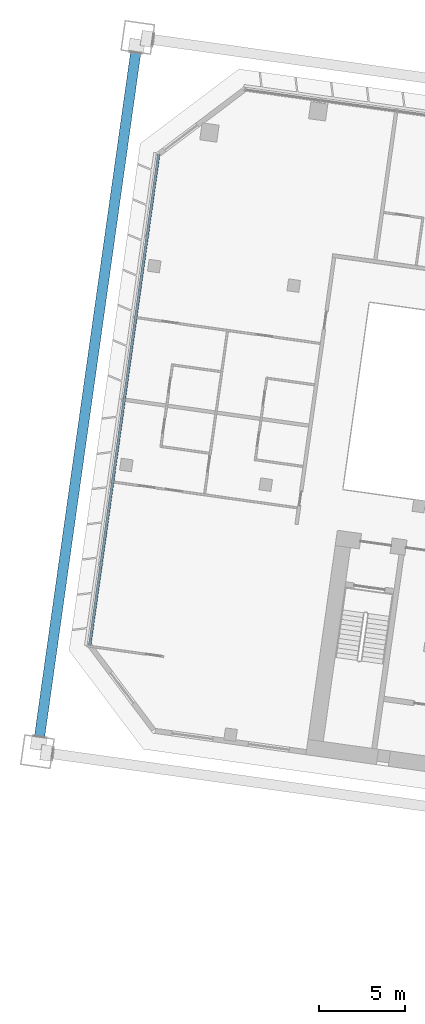
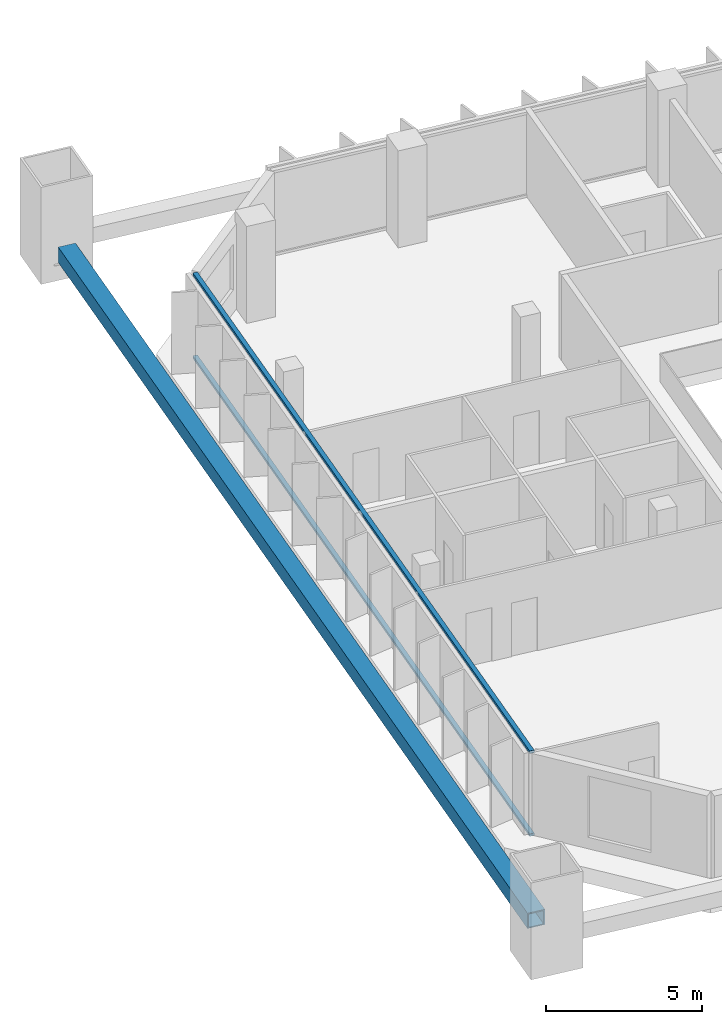
# One storey, part 5 of 46: 3 members, 1 element without a shape of its own.
"""IFC4 building model written with IfcOpenShell, lengths in metres."""

from ifc_helpers import new_model, si_unit, direction, frame, origin, origin_2d, place, context, subcontext, project, spatial, rectangle, hollow_rectangle, extrude, material, material_profile, profile_set, type_object, element, aggregate, save


model = new_model("IFC4")

# Units and contexts
model_context = context("Model", 3, precision=1e-05, world=origin(), true_north=direction((0.0, 1.0)))
body_context = subcontext(model_context, "Body", "Model", "MODEL_VIEW")
ifc_project = project(units=[si_unit("LENGTHUNIT", "METRE"), si_unit("AREAUNIT", "SQUARE_METRE"), si_unit("VOLUMEUNIT", "CUBIC_METRE"), si_unit("PLANEANGLEUNIT", "RADIAN"), si_unit("MASSUNIT", "GRAM", prefix="KILO")], contexts=[model_context])

# Site, building, storey
site_placement = place(None, origin())
site = spatial("IfcSite", under=ifc_project, at=site_placement, CompositionType="ELEMENT")
building_placement = place(site_placement, origin())
building = spatial("IfcBuilding", under=site, at=building_placement, Name="Mirante Cascada Hotel Towers", CompositionType="ELEMENT")
storey_placement = place(building_placement, frame((0.0, 0.0, 39.5)))
storey = spatial("IfcBuildingStorey", under=building, at=storey_placement, Name="L06", CompositionType="ELEMENT", Elevation=39.5)

# Member
ifc_material_1 = material(Name="Steel ASTM A572 Gr 50", Category="steel")
ifc_material_profile_1 = material_profile(ifc_material_1, hollow_rectangle(XDim=0.6, YDim=0.6, WallThickness=0.04, at=origin_2d()), Name="Box chord 600x600x40 ASTM A572 Gr 50")
ifc_profile_set_1 = profile_set([ifc_material_profile_1], Name="Steel ASTM A572 Gr 50")
member_type_1 = type_object("IfcMemberType", Name="Box chord 600x600x40 ASTM A572 Gr 50", PredefinedType="CHORD", material=ifc_profile_set_1)
member_1_placement = place(storey_placement, frame((-106.08, -11.6254, 1.0), z_axis=(0.1391724, 0.9902682, 0.0), x_axis=(-0.9902682, 0.1391724, 0.0)))
element("IfcMember", 1, at=member_1_placement, inside=storey, type_object=member_type_1, Name="exochord T1 L06 4", PredefinedType="CHORD", context=body_context, shape_type="SweptSolid", body=[
    extrude(hollow_rectangle(XDim=0.6, YDim=0.6, WallThickness=0.04, at=origin_2d()), origin(), (0.0, 0.0, 1.0), 40.24),
])

# Curtain wall, members
ifc_material_2 = material(Name="Aluminium mullion and transom frame with clear laminated glass", Category="aluminium")
curtain_wall_type = type_object("IfcCurtainWallType", Name="End ribbon curtain wall ECW2", PredefinedType="NOTDEFINED", material=ifc_material_2)
curtain_wall_placement = place(storey_placement, origin())
curtain_wall = element("IfcCurtainWall", 2, at=curtain_wall_placement, inside=storey, type_object=curtain_wall_type, Name="Outer end wall T1 L06", PredefinedType="NOTDEFINED")
ifc_material_3 = material(Name="Anodised aluminium extrusion", Category="aluminium")
ifc_material_profile_2 = material_profile(ifc_material_3, rectangle(XDim=0.16, YDim=0.1, at=origin_2d()), Name="ECW2 TRANSOM 100x160")
ifc_profile_set_2 = profile_set([ifc_material_profile_2], Name="Anodised aluminium extrusion")
member_type_2 = type_object("IfcMemberType", Name="ECW2 transom 100x160", PredefinedType="USERDEFINED", material=ifc_profile_set_2)
member_2_placement = place(storey_placement, frame((-103.1601, -6.2978, 0.05), z_axis=(0.1391723, 0.9902682, 0.0), x_axis=(-0.9902682, 0.1391723, 0.0)))
member_2 = element("IfcMember", 3, at=member_2_placement, type_object=member_type_2, Name="ECW2 sill transom", ObjectType="TRANSOM", PredefinedType="USERDEFINED", context=body_context, shape_type="SweptSolid", body=[
    extrude(rectangle(XDim=0.16, YDim=0.1, at=origin_2d()), origin(), (0.0, 0.0, 1.0), 28.8757),
])
member_3_placement = place(storey_placement, frame((-103.1601, -6.2978, 3.3), z_axis=(0.1391723, 0.9902682, 0.0), x_axis=(-0.9902682, 0.1391723, 0.0)))
member_3 = element("IfcMember", 4, at=member_3_placement, type_object=member_type_2, Name="ECW2 head transom", ObjectType="TRANSOM", PredefinedType="USERDEFINED", context=body_context, shape_type="SweptSolid", body=[
    extrude(rectangle(XDim=0.16, YDim=0.1, at=origin_2d()), origin(), (0.0, 0.0, 1.0), 28.8757),
])
aggregate(curtain_wall, [member_2, member_3])

save(model, "model.ifc")
